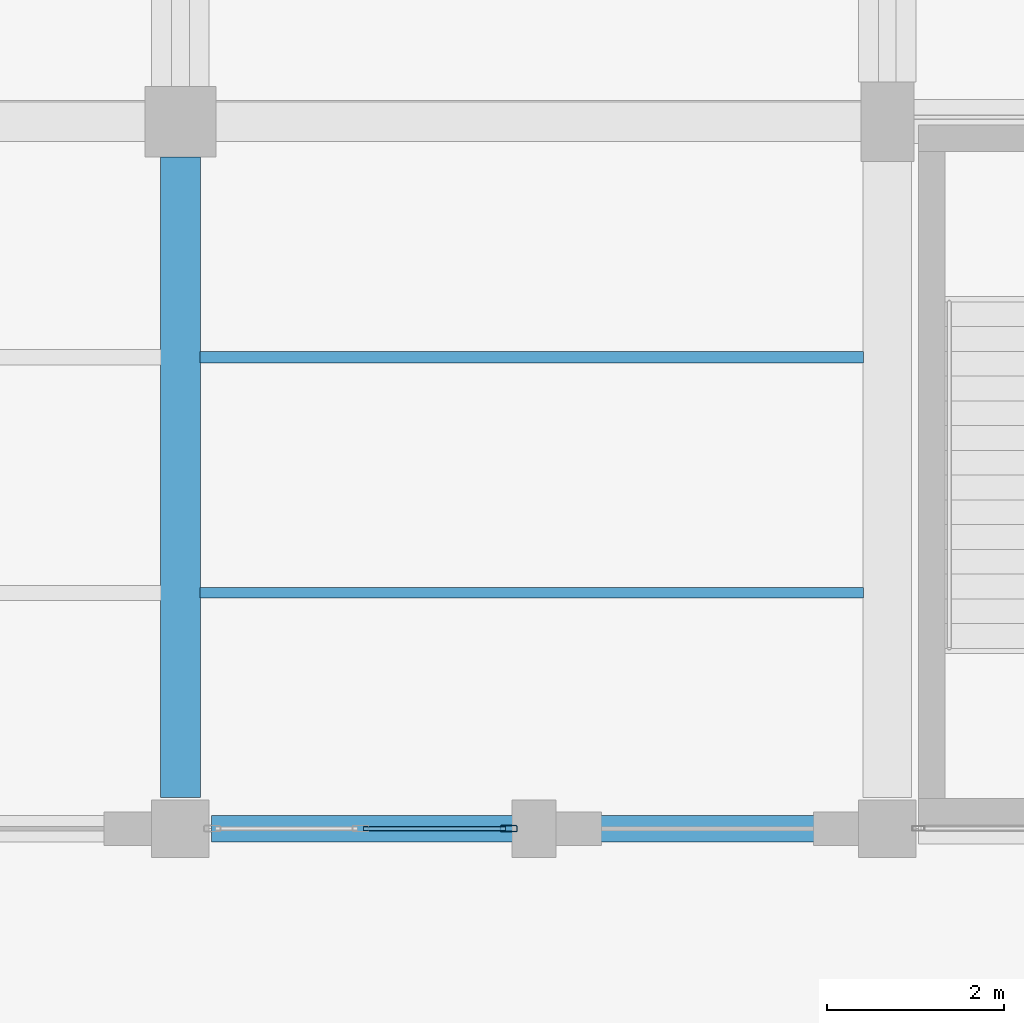
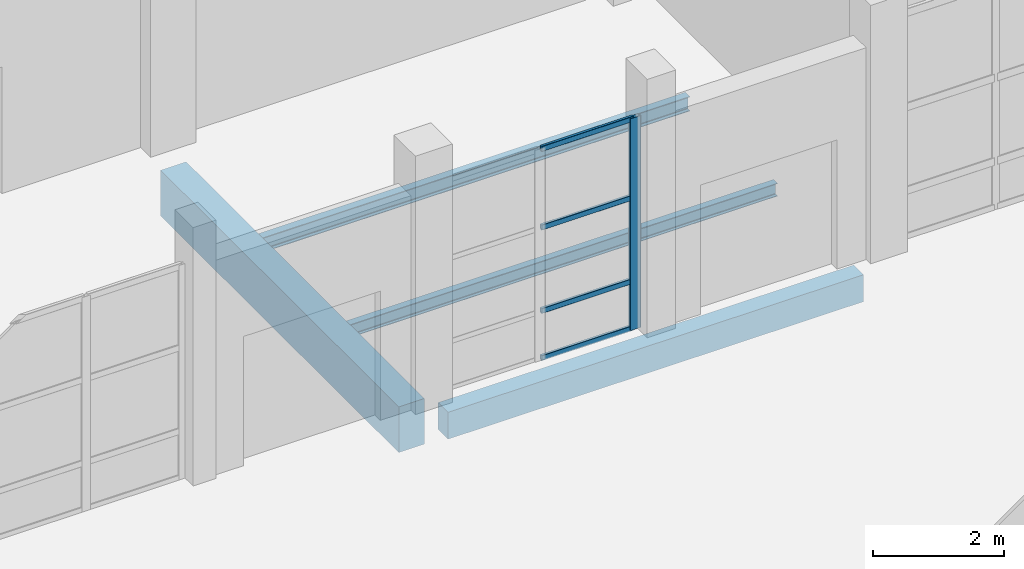
# One storey, part 31 of 156: 5 members, 4 beams, 1 element without a shape of its own.
"""IFC4 building model written with IfcOpenShell, lengths in metres."""

from ifc_helpers import new_model, si_unit, direction, frame, origin, origin_2d, place, context, subcontext, project, spatial, rectangle, hollow_rectangle, i_section, extrude, material, material_profile, profile_set, type_object, element, aggregate, save


model = new_model("IFC4")

# Units and contexts
model_context = context("Model", 3, precision=1e-05, world=origin(), true_north=direction((0.0, 1.0)))
body_context = subcontext(model_context, "Body", "Model", "MODEL_VIEW")
ifc_project = project(units=[si_unit("LENGTHUNIT", "METRE"), si_unit("AREAUNIT", "SQUARE_METRE"), si_unit("VOLUMEUNIT", "CUBIC_METRE"), si_unit("PLANEANGLEUNIT", "RADIAN"), si_unit("MASSUNIT", "GRAM", prefix="KILO")], contexts=[model_context])

# Site, building, storey
site_placement = place(None, origin())
site = spatial("IfcSite", under=ifc_project, at=site_placement, CompositionType="ELEMENT")
building_placement = place(site_placement, origin())
building = spatial("IfcBuilding", under=site, at=building_placement, Name="Luwemba Playhouse", CompositionType="ELEMENT")
storey_placement = place(building_placement, origin())
storey = spatial("IfcBuildingStorey", under=building, at=storey_placement, Name="L00", CompositionType="ELEMENT", Elevation=0.0)

# Beams
ifc_material_1 = material(Name="Concrete C40/50", Category="concrete")
ifc_material_profile_1 = material_profile(ifc_material_1, rectangle(XDim=0.449951171875, YDim=0.85009765625, at=origin_2d()))
ifc_profile_set_1 = profile_set([ifc_material_profile_1], Name="Concrete C40/50")
beam_type_1 = type_object("IfcBeamType", Name="BM-RB05", PredefinedType="BEAM", material=ifc_profile_set_1)
beam_1_placement = place(storey_placement, frame((28.0, 36.35009765625, -0.72509765625), z_axis=(0.0, 1.0, 0.0), x_axis=(-1.0, 0.0, 0.0)))
element("IfcBeam", 1, at=beam_1_placement, inside=storey, type_object=beam_type_1, Name="L00 transverse girder 0029", PredefinedType="BEAM", context=body_context, shape_type="SweptSolid", body=[
    extrude(rectangle(XDim=0.449951171875, YDim=0.85009765625, at=origin_2d()), origin(), (0.0, 0.0, 1.0), 7.25),
])
ifc_material_2 = material(Name="Steel S355", Category="steel")
ifc_material_profile_2 = material_profile(ifc_material_2, i_section(OverallWidth=0.1201171875, OverallDepth=0.239990234375, WebThickness=0.006103515625, FlangeThickness=0.009765625, FilletRadius=0.014892578125, at=origin_2d()))
ifc_profile_set_2 = profile_set([ifc_material_profile_2], Name="Steel S355")
beam_type_2 = type_object("IfcBeamType", Name="BM-SJ03", PredefinedType="JOIST", material=ifc_profile_set_2)
beam_2_placement = place(storey_placement, frame((28.220947265625, 38.666748046875, -0.419921875), z_axis=(1.0, 0.0, 0.0), x_axis=(0.0, 1.0, 0.0)))
element("IfcBeam", 2, at=beam_2_placement, inside=storey, type_object=beam_type_2, Name="L00 composite floor joist 0023", PredefinedType="JOIST", context=body_context, shape_type="SweptSolid", body=[
    extrude(i_section(OverallWidth=0.1201171875, OverallDepth=0.239990234375, WebThickness=0.006103515625, FlangeThickness=0.009765625, FilletRadius=0.014892578125, at=origin_2d()), origin(), (0.0, 0.0, 1.0), 7.508056640625),
])
ifc_material_profile_3 = material_profile(ifc_material_2, i_section(OverallWidth=0.135009765625, OverallDepth=0.27001953125, WebThickness=0.006591796875, FlangeThickness=0.01025390625, FilletRadius=0.014892578125, at=origin_2d()))
ifc_profile_set_3 = profile_set([ifc_material_profile_3], Name="Steel S355")
beam_type_3 = type_object("IfcBeamType", Name="BM-SJ04", PredefinedType="JOIST", material=ifc_profile_set_3)
beam_3_placement = place(storey_placement, frame((28.220947265625, 41.333251953125, -0.43505859375), z_axis=(1.0, 0.0, 0.0), x_axis=(0.0, 1.0, 0.0)))
element("IfcBeam", 3, at=beam_3_placement, inside=storey, type_object=beam_type_3, Name="L00 composite floor joist 0024", PredefinedType="JOIST", context=body_context, shape_type="SweptSolid", body=[
    extrude(i_section(OverallWidth=0.135009765625, OverallDepth=0.27001953125, WebThickness=0.006591796875, FlangeThickness=0.01025390625, FilletRadius=0.014892578125, at=origin_2d()), origin(), (0.0, 0.0, 1.0), 7.508056640625),
])
ifc_material_profile_4 = material_profile(ifc_material_1, rectangle(XDim=0.300048828125, YDim=0.5, at=origin_2d()))
ifc_profile_set_4 = profile_set([ifc_material_profile_4], Name="Concrete C40/50")
beam_type_4 = type_object("IfcBeamType", Name="BM-SP1", PredefinedType="SPANDREL", material=ifc_profile_set_4)
beam_4_placement = place(storey_placement, frame((28.35009765625, 36.0, -0.550048828125), z_axis=(1.0, 0.0, 0.0), x_axis=(0.0, 1.0, 0.0)))
element("IfcBeam", 4, at=beam_4_placement, inside=storey, type_object=beam_type_4, Name="L00 grid girder 0004", PredefinedType="SPANDREL", context=body_context, shape_type="SweptSolid", body=[
    extrude(rectangle(XDim=0.300048828125, YDim=0.5, at=origin_2d()), origin(), (0.0, 0.0, 1.0), 7.2998046875),
])

# Curtain wall, members
ifc_material_3 = material(Name="Solar-control double glazing", Category="glass")
curtain_wall_type = type_object("IfcCurtainWallType", Name="CW-CW10", PredefinedType="USERDEFINED", material=ifc_material_3)
curtain_wall_placement = place(storey_placement, origin())
curtain_wall = element("IfcCurtainWall", 5, at=curtain_wall_placement, inside=storey, type_object=curtain_wall_type, Name="L00 V1 unitised curtain wall 010", ObjectType="UNITISED GLAZING", PredefinedType="USERDEFINED")
ifc_material_4 = material(Name="Aluminium 6063-T6", Category="aluminium")
ifc_material_profile_5 = material_profile(ifc_material_4, hollow_rectangle(XDim=0.070068359375, YDim=0.18994140625, WallThickness=0.0048828125, InnerFilletRadius=0.007568359375, OuterFilletRadius=0.012451171875, at=origin_2d()))
ifc_profile_set_5 = profile_set([ifc_material_profile_5], Name="Aluminium 6063-T6")
member_type_1 = type_object("IfcMemberType", Name="CWM-M4", PredefinedType="MULLION", material=ifc_profile_set_5)
member_1_placement = place(storey_placement, frame((31.715087890625, 36.0, 0.0), z_axis=(0.0, 0.0, 1.0), x_axis=(0.0, -1.0, 0.0)))
member_1 = element("IfcMember", 6, at=member_1_placement, type_object=member_type_1, Name="CW10 mullion 1", PredefinedType="MULLION", context=body_context, shape_type="SweptSolid", body=[
    extrude(hollow_rectangle(XDim=0.070068359375, YDim=0.18994140625, WallThickness=0.0048828125, InnerFilletRadius=0.007568359375, OuterFilletRadius=0.012451171875, at=origin_2d()), origin(), (0.0, 0.0, 1.0), 3.93505859375),
])
ifc_material_profile_6 = material_profile(ifc_material_4, hollow_rectangle(XDim=0.050048828125, YDim=0.10009765625, WallThickness=0.00341796875, InnerFilletRadius=0.00537109375, OuterFilletRadius=0.0087890625, at=origin_2d()))
ifc_profile_set_6 = profile_set([ifc_material_profile_6], Name="Aluminium 6063-T6")
member_type_2 = type_object("IfcMemberType", Name="CWT-T4", PredefinedType="USERDEFINED", material=ifc_profile_set_6)
member_2_placement = place(storey_placement, frame((31.679931640625, 36.0, 0.02490234375), z_axis=(-1.0, 0.0, 0.0), x_axis=(0.0, -1.0, 0.0)))
member_2 = element("IfcMember", 7, at=member_2_placement, type_object=member_type_2, Name="CW10 transom 1.1", ObjectType="TRANSOM", PredefinedType="USERDEFINED", context=body_context, shape_type="SweptSolid", body=[
    extrude(hollow_rectangle(XDim=0.050048828125, YDim=0.10009765625, WallThickness=0.00341796875, InnerFilletRadius=0.00537109375, OuterFilletRadius=0.0087890625, at=origin_2d()), origin(), (0.0, 0.0, 1.0), 1.607421875),
])
member_3_placement = place(storey_placement, frame((31.679931640625, 36.0, 0.89990234375), z_axis=(-1.0, 0.0, 0.0), x_axis=(0.0, -1.0, 0.0)))
member_3 = element("IfcMember", 8, at=member_3_placement, type_object=member_type_2, Name="CW10 transom 1.2", ObjectType="TRANSOM", PredefinedType="USERDEFINED", context=body_context, shape_type="SweptSolid", body=[
    extrude(hollow_rectangle(XDim=0.050048828125, YDim=0.10009765625, WallThickness=0.00341796875, InnerFilletRadius=0.00537109375, OuterFilletRadius=0.0087890625, at=origin_2d()), origin(), (0.0, 0.0, 1.0), 1.607421875),
])
member_4_placement = place(storey_placement, frame((31.679931640625, 36.0, 2.449951171875), z_axis=(-1.0, 0.0, 0.0), x_axis=(0.0, -1.0, 0.0)))
member_4 = element("IfcMember", 9, at=member_4_placement, type_object=member_type_2, Name="CW10 transom 1.3", ObjectType="TRANSOM", PredefinedType="USERDEFINED", context=body_context, shape_type="SweptSolid", body=[
    extrude(hollow_rectangle(XDim=0.050048828125, YDim=0.10009765625, WallThickness=0.00341796875, InnerFilletRadius=0.00537109375, OuterFilletRadius=0.0087890625, at=origin_2d()), origin(), (0.0, 0.0, 1.0), 1.607421875),
])
member_5_placement = place(storey_placement, frame((31.679931640625, 36.0, 3.909912109375), z_axis=(-1.0, 0.0, 0.0), x_axis=(0.0, -1.0, 0.0)))
member_5 = element("IfcMember", 10, at=member_5_placement, type_object=member_type_2, Name="CW10 transom 1.4", ObjectType="TRANSOM", PredefinedType="USERDEFINED", context=body_context, shape_type="SweptSolid", body=[
    extrude(hollow_rectangle(XDim=0.050048828125, YDim=0.10009765625, WallThickness=0.00341796875, InnerFilletRadius=0.00537109375, OuterFilletRadius=0.0087890625, at=origin_2d()), origin(), (0.0, 0.0, 1.0), 1.607421875),
])
aggregate(curtain_wall, [member_1, member_2, member_3, member_4, member_5])

save(model, "model.ifc")
